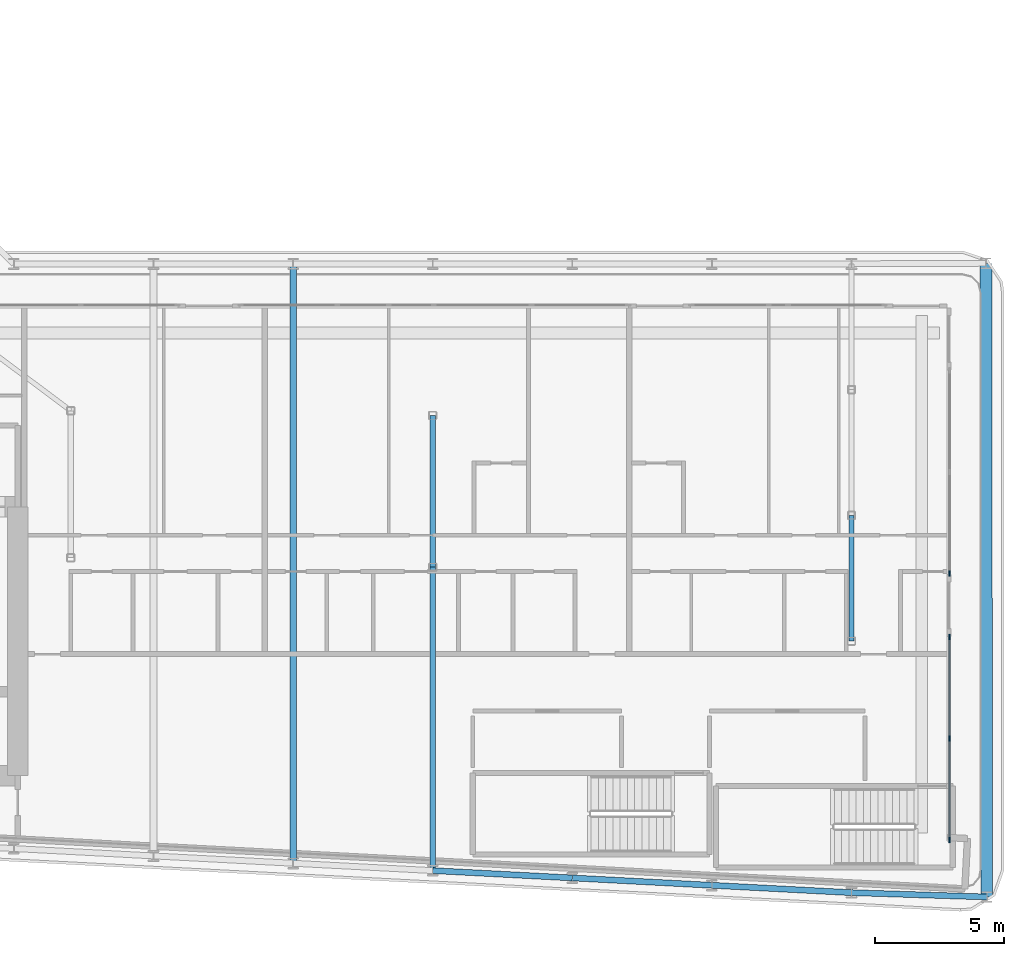
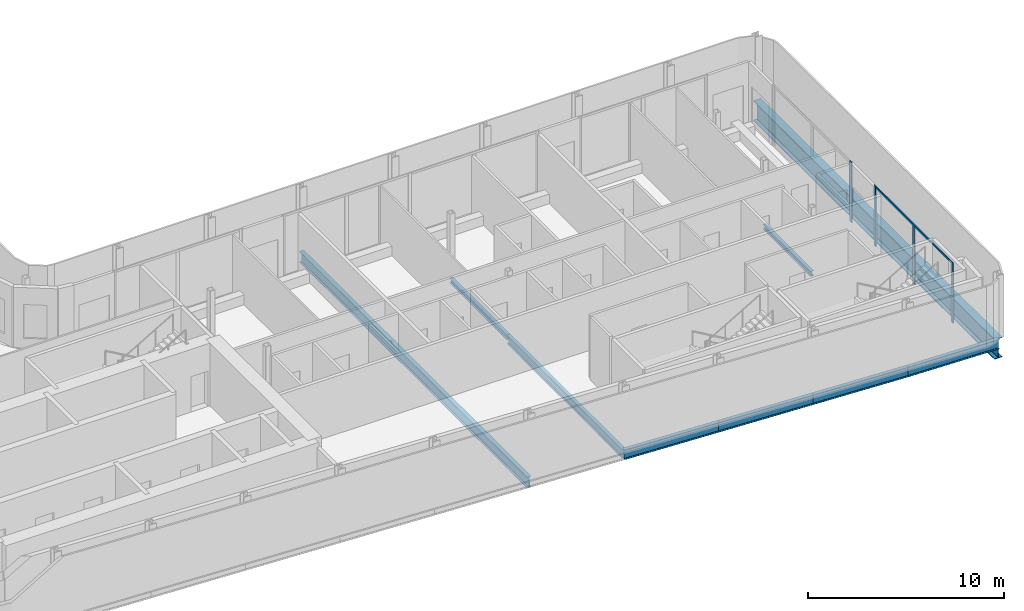
# One storey, part 5 of 26: 9 beams, 5 members, 2 elements without a shape of their own.
"""IFC4 building model written with IfcOpenShell, lengths in metres."""

from ifc_helpers import new_model, si_unit, direction, frame, origin, origin_2d, place, context, subcontext, project, spatial, rectangle, i_section, extrude, material, layer, layer_set, material_profile, profile_set, type_object, element, aggregate, save


model = new_model("IFC4")

# Units and contexts
model_context = context("Model", 3, precision=1e-05, world=origin(), true_north=direction((0.0, 1.0)))
body_context = subcontext(model_context, "Body", "Model", "MODEL_VIEW")
ifc_project = project(units=[si_unit("LENGTHUNIT", "METRE"), si_unit("AREAUNIT", "SQUARE_METRE"), si_unit("VOLUMEUNIT", "CUBIC_METRE"), si_unit("PLANEANGLEUNIT", "RADIAN"), si_unit("MASSUNIT", "GRAM", prefix="KILO")], contexts=[model_context])

# Site, building, storey
site_placement = place(None, origin())
site = spatial("IfcSite", under=ifc_project, at=site_placement, CompositionType="ELEMENT")
building_placement = place(site_placement, origin())
building = spatial("IfcBuilding", under=site, at=building_placement, Name="Kheshtan School and Residences Tower", CompositionType="ELEMENT")
storey_placement = place(building_placement, frame((0.0, 0.0, 156.5)))
storey = spatial("IfcBuildingStorey", under=building, at=storey_placement, Name="L36", CompositionType="ELEMENT", Elevation=156.5)

# Beams
ifc_material_1 = material(Name="Steel ASTM A992 Grade 50", Category="steel")
ifc_material_profile_1 = material_profile(ifc_material_1, i_section(OverallWidth=0.202880859375, OverallDepth=0.302978515625, WebThickness=0.007568359375, FlangeThickness=0.01318359375, FilletRadius=0.009033203125, at=origin_2d()), Name="W310x60")
ifc_profile_set_1 = profile_set([ifc_material_profile_1], Name="Steel ASTM A992 Grade 50")
beam_type_1 = type_object("IfcBeamType", Name="Beam FB1 W310x60 ASTM A992 Grade 50", PredefinedType="BEAM", material=ifc_profile_set_1)
beam_1_placement = place(storey_placement, frame((85.39990234375, 31.0048828125, -0.301513671875), z_axis=(0.0, 1.0, 0.0), x_axis=(-1.0, 0.0, 0.0)))
element("IfcBeam", 1, at=beam_1_placement, inside=storey, type_object=beam_type_1, Name="Floor beam IC", PredefinedType="BEAM", context=body_context, shape_type="SweptSolid", body=[
    extrude(i_section(OverallWidth=0.202880859375, OverallDepth=0.302978515625, WebThickness=0.007568359375, FlangeThickness=0.01318359375, FilletRadius=0.009033203125, at=origin_2d()), origin(), (0.0, 0.0, 1.0), 4.865234375),
])
beam_2_placement = place(storey_placement, frame((69.199951171875, 33.863037109375, -0.301513671875), z_axis=(0.0, 1.0, 0.0), x_axis=(-1.0, 0.0, 0.0)))
element("IfcBeam", 2, at=beam_2_placement, inside=storey, type_object=beam_type_1, Name="Floor beam IC", PredefinedType="BEAM", context=body_context, shape_type="SweptSolid", body=[
    extrude(i_section(OverallWidth=0.202880859375, OverallDepth=0.302978515625, WebThickness=0.007568359375, FlangeThickness=0.01318359375, FilletRadius=0.009033203125, at=origin_2d()), origin(), (0.0, 0.0, 1.0), 5.868896484375),
])
ifc_material_profile_2 = material_profile(ifc_material_1, i_section(OverallWidth=0.208984375, OverallDepth=0.532958984375, WebThickness=0.01025390625, FlangeThickness=0.015625, FilletRadius=0.013916015625, at=origin_2d()), Name="W530x92")
ifc_profile_set_2 = profile_set([ifc_material_profile_2], Name="Steel ASTM A992 Grade 50")
beam_type_2 = type_object("IfcBeamType", Name="Beam FB4 W530x92 ASTM A992 Grade 50", PredefinedType="BEAM", material=ifc_profile_set_2)
beam_3_placement = place(storey_placement, frame((69.199951171875, 22.126953125, -0.41650390625), z_axis=(0.0, 1.0, 0.0), x_axis=(-1.0, 0.0, 0.0)))
element("IfcBeam", 3, at=beam_3_placement, inside=storey, type_object=beam_type_2, Name="Floor beam C014", PredefinedType="BEAM", context=body_context, shape_type="SweptSolid", body=[
    extrude(i_section(OverallWidth=0.208984375, OverallDepth=0.532958984375, WebThickness=0.01025390625, FlangeThickness=0.015625, FilletRadius=0.013916015625, at=origin_2d()), origin(), (0.0, 0.0, 1.0), 11.736083984375),
])
ifc_material_profile_3 = material_profile(ifc_material_1, i_section(OverallWidth=0.2529296875, OverallDepth=0.677978515625, WebThickness=0.01171875, FlangeThickness=0.016357421875, FilletRadius=0.0146484375, at=origin_2d()), Name="W690x125")
ifc_profile_set_3 = profile_set([ifc_material_profile_3], Name="Steel ASTM A992 Grade 50")
beam_type_3 = type_object("IfcBeamType", Name="Beam FB6 W690x125 ASTM A992 Grade 50", PredefinedType="BEAM", material=ifc_profile_set_3)
beam_4_placement = place(storey_placement, frame((63.800048828125, 45.60009765625, -0.489013671875), z_axis=(0.0, -1.0, 0.0), x_axis=(1.0, 0.0, 0.0)))
element("IfcBeam", 4, at=beam_4_placement, inside=storey, type_object=beam_type_3, Name="Floor beam C063", PredefinedType="BEAM", context=body_context, shape_type="SweptSolid", body=[
    extrude(i_section(OverallWidth=0.2529296875, OverallDepth=0.677978515625, WebThickness=0.01171875, FlangeThickness=0.016357421875, FilletRadius=0.0146484375, at=origin_2d()), origin(), (0.0, 0.0, 1.0), 23.189208984375),
])
ifc_material_profile_4 = material_profile(ifc_material_1, i_section(OverallWidth=0.22802734375, OverallDepth=0.60302734375, WebThickness=0.010498046875, FlangeThickness=0.014892578125, FilletRadius=0.013427734375, at=origin_2d()), Name="W610x101")
ifc_profile_set_4 = profile_set([ifc_material_profile_4], Name="Steel ASTM A992 Grade 50")
beam_type_4 = type_object("IfcBeamType", Name="Beam SP2 W610x101 ASTM A992 Grade 50", PredefinedType="BEAM", material=ifc_profile_set_4)
beam_5_placement = place(storey_placement, frame((90.637939453125, 21.10693359375, -0.451416015625), z_axis=(-0.999492198162, 0.031864491426, 0.0), x_axis=(-0.031864491426, -0.999492198162, 0.0)))
element("IfcBeam", 5, at=beam_5_placement, inside=storey, type_object=beam_type_4, Name="Spandrel beam C007-C008", PredefinedType="BEAM", context=body_context, shape_type="SweptSolid", body=[
    extrude(i_section(OverallWidth=0.22802734375, OverallDepth=0.60302734375, WebThickness=0.010498046875, FlangeThickness=0.014892578125, FilletRadius=0.013427734375, at=origin_2d()), origin(), (0.0, 0.0, 1.0), 5.24072265625),
])
for number, where, z_axis, x_axis, name in (
    (6, (85.39990234375, 21.27392578125, -0.451416015625), (-0.998618078766, 0.052554093665, 0.0), (-0.052554093665, -0.998618078766, 0.0), "Spandrel beam C008-C012"),
    (7, (80.0, 21.55810546875, -0.451416015625), (-0.998610961136, 0.052689166816, 0.0), (-0.052689166816, -0.998610961136, 0.0), "Spandrel beam C012-C013"),
):
    element("IfcBeam", number, at=place(storey_placement, frame(where, z_axis=z_axis, x_axis=x_axis)), inside=storey, type_object=beam_type_4, Name=name, PredefinedType="BEAM", context=body_context, shape_type="SweptSolid", body=[
        extrude(i_section(OverallWidth=0.22802734375, OverallDepth=0.60302734375, WebThickness=0.010498046875, FlangeThickness=0.014892578125, FilletRadius=0.013427734375, at=origin_2d()), origin(), (0.0, 0.0, 1.0), 5.407470703125),
    ])
beam_6_placement = place(storey_placement, frame((74.60009765625, 21.843017578125, -0.451416015625), z_axis=(-0.998620571751, 0.05250670125, 0.0), x_axis=(-0.05250670125, -0.998620571751, 0.0)))
element("IfcBeam", 8, at=beam_6_placement, inside=storey, type_object=beam_type_4, Name="Spandrel beam C013-C014", PredefinedType="BEAM", context=body_context, shape_type="SweptSolid", body=[
    extrude(i_section(OverallWidth=0.22802734375, OverallDepth=0.60302734375, WebThickness=0.010498046875, FlangeThickness=0.014892578125, FilletRadius=0.013427734375, at=origin_2d()), origin(), (0.0, 0.0, 1.0), 5.40771484375),
])

# Curtain wall, member
ifc_material_2 = material(Name="Clear low-e glass in thermally broken aluminium frame", Category="aluminium")
ifc_layer = layer(ifc_material_2, 0.199951171875)
ifc_layer_set = layer_set([ifc_layer], Name="Curtain wall CW-L")
curtain_wall_type = type_object("IfcCurtainWallType", Name="Curtain wall CW-L", PredefinedType="NOTDEFINED", material=ifc_layer_set)
curtain_wall_1_placement = place(storey_placement, origin())
curtain_wall_1 = element("IfcCurtainWall", 9, at=curtain_wall_1_placement, inside=storey, type_object=curtain_wall_type, Name="Curtain wall CWL13", PredefinedType="NOTDEFINED")
ifc_material_3 = material(Name="Thermally broken aluminium, dark bronze anodised", Category="aluminium")
ifc_material_profile_5 = material_profile(ifc_material_3, rectangle(XDim=0.06005859375, YDim=0.199951171875, at=origin_2d()), Name="CW-L mullion 60x200")
ifc_profile_set_5 = profile_set([ifc_material_profile_5], Name="Thermally broken aluminium, dark bronze anodised")
member_type_1 = type_object("IfcMemberType", Name="CW-L mullion 60x200", PredefinedType="MULLION", material=ifc_profile_set_5)
member_1_placement = place(storey_placement, frame((89.199951171875, 33.62158203125, 0.0), z_axis=(0.0, 0.0, 1.0), x_axis=(1.0, 0.0, 0.0)))
member_1 = element("IfcMember", 10, at=member_1_placement, type_object=member_type_1, Name="CWL13 mullion 3", PredefinedType="MULLION", context=body_context, shape_type="SweptSolid", body=[
    extrude(rectangle(XDim=0.06005859375, YDim=0.199951171875, at=origin_2d()), origin(), (0.0, 0.0, 1.0), 3.75),
])
aggregate(curtain_wall_1, [member_1])

# Curtain wall, members
curtain_wall_2_placement = place(storey_placement, origin())
curtain_wall_2 = element("IfcCurtainWall", 11, at=curtain_wall_2_placement, inside=storey, type_object=curtain_wall_type, Name="Curtain wall CWL13", PredefinedType="NOTDEFINED")
member_2_placement = place(storey_placement, frame((89.199951171875, 31.16162109375, 0.0), z_axis=(0.0, 0.0, 1.0), x_axis=(1.0, 0.0, 0.0)))
member_2 = element("IfcMember", 12, at=member_2_placement, type_object=member_type_1, Name="CWL13 mullion 1", PredefinedType="MULLION", context=body_context, shape_type="SweptSolid", body=[
    extrude(rectangle(XDim=0.06005859375, YDim=0.199951171875, at=origin_2d()), origin(), (0.0, 0.0, 1.0), 3.75),
])
member_3_placement = place(storey_placement, frame((89.199951171875, 27.2373046875, 0.0), z_axis=(0.0, 0.0, 1.0), x_axis=(1.0, 0.0, 0.0)))
member_3 = element("IfcMember", 13, at=member_3_placement, type_object=member_type_1, Name="CWL13 mullion 2", PredefinedType="MULLION", context=body_context, shape_type="SweptSolid", body=[
    extrude(rectangle(XDim=0.06005859375, YDim=0.199951171875, at=origin_2d()), origin(), (0.0, 0.0, 1.0), 3.6298828125),
])
member_4_placement = place(storey_placement, frame((89.199951171875, 23.31298828125, 0.0), z_axis=(0.0, 0.0, 1.0), x_axis=(1.0, 0.0, 0.0)))
member_4 = element("IfcMember", 14, at=member_4_placement, type_object=member_type_1, Name="CWL13 mullion 3", PredefinedType="MULLION", context=body_context, shape_type="SweptSolid", body=[
    extrude(rectangle(XDim=0.06005859375, YDim=0.199951171875, at=origin_2d()), origin(), (0.0, 0.0, 1.0), 3.75),
])
ifc_material_profile_6 = material_profile(ifc_material_3, rectangle(XDim=0.06005859375, YDim=0.1201171875, at=origin_2d()), Name="CW-L transom 60x120")
ifc_profile_set_6 = profile_set([ifc_material_profile_6], Name="Thermally broken aluminium, dark bronze anodised")
member_type_2 = type_object("IfcMemberType", Name="CW-L transom 60x120", PredefinedType="USERDEFINED", material=ifc_profile_set_6)
member_5_placement = place(storey_placement, frame((89.199951171875, 31.131591796875, 3.68994140625), z_axis=(0.0, -1.0, 0.0), x_axis=(1.0, 0.0, 0.0)))
member_5 = element("IfcMember", 15, at=member_5_placement, type_object=member_type_2, Name="CWL13 transom 1", ObjectType="TRANSOM", PredefinedType="USERDEFINED", context=body_context, shape_type="SweptSolid", body=[
    extrude(rectangle(XDim=0.06005859375, YDim=0.1201171875, at=origin_2d()), origin(), (0.0, 0.0, 1.0), 7.78857421875),
])
aggregate(curtain_wall_2, [member_2, member_3, member_4, member_5])

# Beam
ifc_material_profile_7 = material_profile(ifc_material_1, i_section(OverallWidth=0.449951171875, OverallDepth=1.25, WebThickness=0.02490234375, FlangeThickness=0.044921875, FilletRadius=0.03759765625, at=origin_2d()), Name="WWF1250x546")
ifc_profile_set_7 = profile_set([ifc_material_profile_7], Name="Steel ASTM A992 Grade 50")
beam_type_5 = type_object("IfcBeamType", Name="Transfer girder TG4 WWF1250x546 ASTM A992 Grade 50", PredefinedType="BEAM", material=ifc_profile_set_7)
beam_7_placement = place(storey_placement, frame((90.60107421875, 45.62109375, -0.77490234375), z_axis=(0.001503832579, -0.999998869243, 0.0), x_axis=(0.999998869243, 0.001503832579, 0.0)))
element("IfcBeam", 16, at=beam_7_placement, inside=storey, type_object=beam_type_5, Name="Transfer girder C075-C007", PredefinedType="BEAM", context=body_context, shape_type="SweptSolid", body=[
    extrude(i_section(OverallWidth=0.449951171875, OverallDepth=1.25, WebThickness=0.02490234375, FlangeThickness=0.044921875, FilletRadius=0.03759765625, at=origin_2d()), origin(), (0.0, 0.0, 1.0), 24.51416015625),
])

save(model, "model.ifc")
